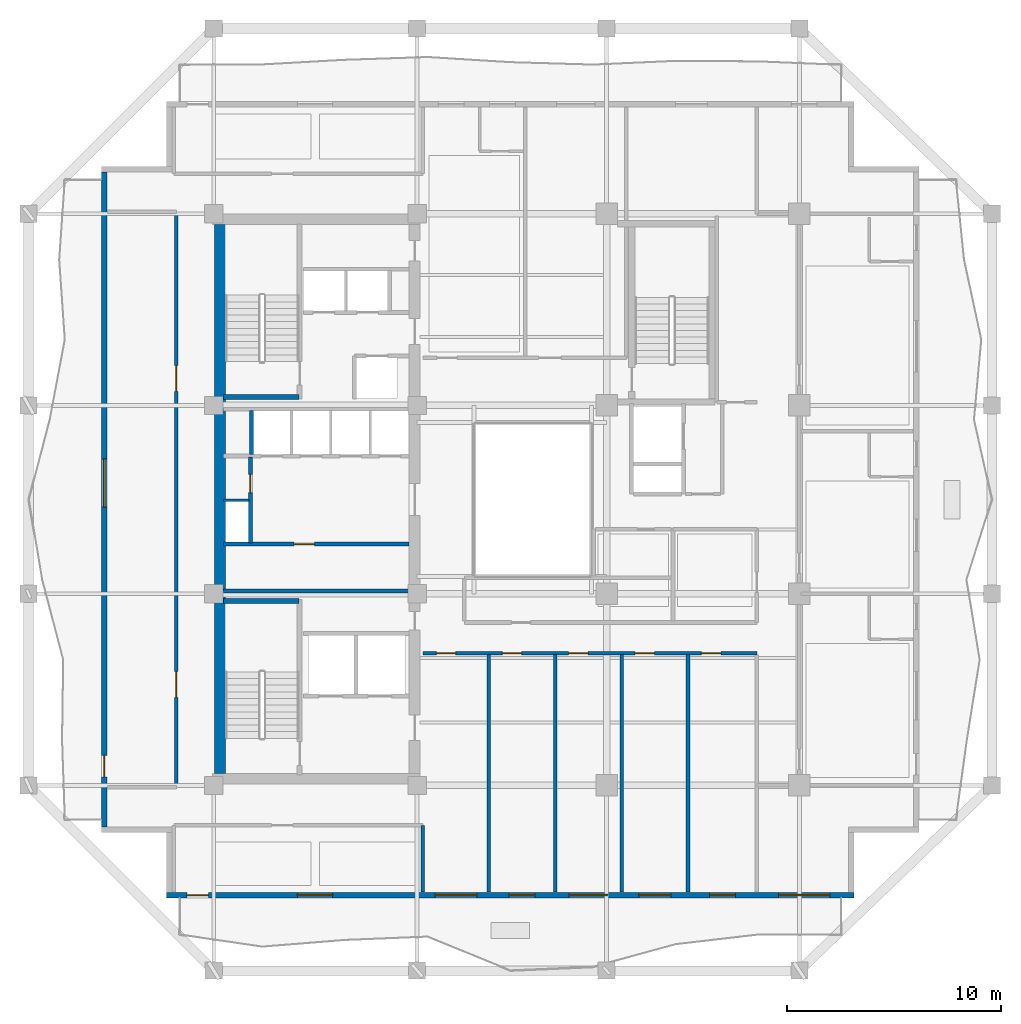
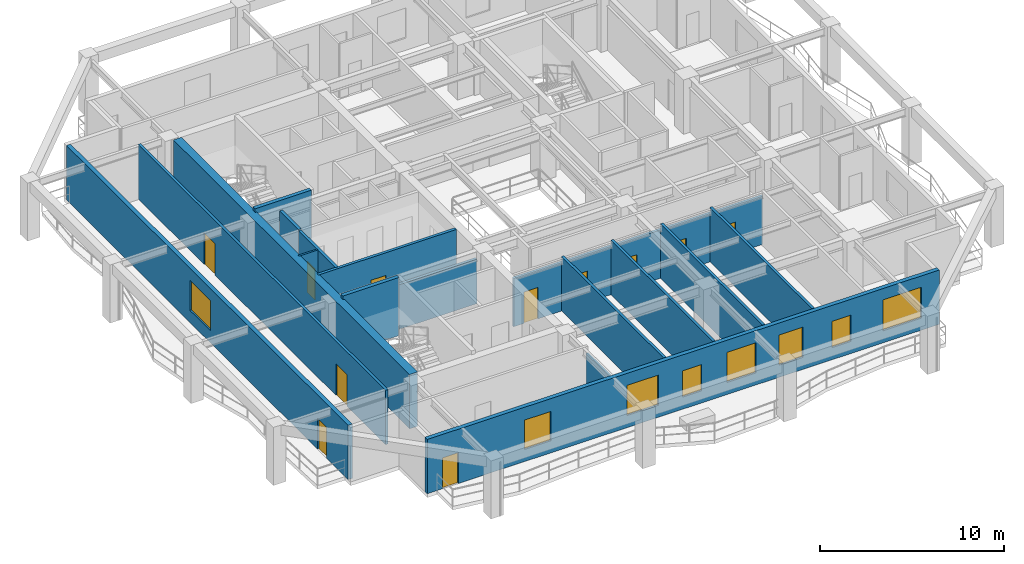
# One storey, part 3 of 10: 17 walls, 11 doors, 8 windows, 19 openings.
"""IFC4 building model written with IfcOpenShell, lengths in metres."""

from ifc_helpers import new_model, si_unit, direction, frame, frame_2d, origin, place, context, subcontext, project, spatial, rectangle, extrude, material, layer, layer_set, type_object, element, fill, save


model = new_model("IFC4")

# Units and contexts
model_context = context("Model", 3, precision=1e-05, world=origin(), true_north=direction((0.0, 1.0)))
body_context = subcontext(model_context, "Body", "Model", "MODEL_VIEW")
ifc_project = project(units=[si_unit("LENGTHUNIT", "METRE"), si_unit("AREAUNIT", "SQUARE_METRE"), si_unit("VOLUMEUNIT", "CUBIC_METRE"), si_unit("PLANEANGLEUNIT", "RADIAN"), si_unit("MASSUNIT", "GRAM", prefix="KILO")], contexts=[model_context])

# Site, building, storey
site_placement = place(None, origin())
site = spatial("IfcSite", under=ifc_project, at=site_placement, CompositionType="ELEMENT")
building_placement = place(site_placement, origin())
building = spatial("IfcBuilding", under=site, at=building_placement, Name="Kundavana Baori Tower", CompositionType="ELEMENT")
storey_placement = place(building_placement, frame((0.0, 0.0, 138.64990234375)))
storey = spatial("IfcBuildingStorey", under=building, at=storey_placement, Name="L33", CompositionType="ELEMENT", Elevation=138.64990234375)

# Walls
ifc_material_1 = material(Name="Concrete C50/60", Category="concrete")
ifc_layer_1 = layer(ifc_material_1, 0.39990234375, Name="WL-CORE-400")
ifc_layer_set_1 = layer_set([ifc_layer_1], Name="Concrete C50/60")
wall_type_1 = type_object("IfcWallType", Name="WL-CORE-400", PredefinedType="SHEAR", material=ifc_layer_set_1)
for number, where, z_axis, x_axis, name in (
    (1, (15.89990234375, 23.860107421875, 0.0), (0.0, 0.0, 1.0), (1.0, 0.0, 0.0), "WL-L33-ST1-N"),
    (2, (15.89990234375, 33.389892578125, 0.0), (0.0, 0.0, 1.0), (1.0, 0.0, 0.0), "WL-L33-ST2-S"),
):
    element("IfcWall", number, at=place(storey_placement, frame(where, z_axis=z_axis, x_axis=x_axis)), inside=storey, type_object=wall_type_1, Name=name, PredefinedType="SHEAR", context=body_context, shape_type="SweptSolid", body=[
        extrude(rectangle(XDim=3.52001953125, YDim=0.239990234375, at=frame_2d((1.760009765625, 0.0))), origin(), (0.0, 0.0, 1.0), 3.85009765625),
    ])
ifc_material_2 = material(Name="Concrete C50/60", Category="concrete")
ifc_layer_2 = layer(ifc_material_2, 0.5, Name="WL-CORE-500")
ifc_layer_set_2 = layer_set([ifc_layer_2], Name="Concrete C50/60")
wall_type_2 = type_object("IfcWallType", Name="WL-CORE-500", PredefinedType="SHEAR", material=ifc_layer_set_2)
wall_1_placement = place(storey_placement, frame((15.739990234375, 15.81005859375, 0.0), z_axis=(0.0, 0.0, 1.0), x_axis=(0.0, 1.0, 0.0)))
element("IfcWall", 3, at=wall_1_placement, inside=storey, type_object=wall_type_2, Name="L33 Offset Core West Shear Wall", PredefinedType="SHEAR", context=body_context, shape_type="SweptSolid", body=[
    extrude(rectangle(XDim=25.6298828125, YDim=0.5, at=frame_2d((12.81494140625, 0.0))), origin(), (0.0, 0.0, 1.0), 3.60009765625),
])

# Wall, openings, door, windows
ifc_material_3 = material(Name="Kiln-Fired Terracotta Brick-Slip Masonry on Concrete C40/50", Category="masonry")
ifc_layer_3 = layer(ifc_material_3, 0.260009765625, Name="WL-EXT-BRK-260")
ifc_layer_set_3 = layer_set([ifc_layer_3], Name="Kiln-Fired Terracotta Brick-Slip Masonry on Concrete C40/50")
wall_type_3 = type_object("IfcWallType", Name="WL-EXT-BRK-260", PredefinedType="SOLIDWALL", material=ifc_layer_set_3)
wall_2_placement = place(storey_placement, frame((13.25, 10.1298828125, 0.0), z_axis=(0.0, 0.0, 1.0), x_axis=(1.0, 0.0, 0.0)))
wall_2 = element("IfcWall", 4, at=wall_2_placement, inside=storey, type_object=wall_type_3, Name="L33 Exterior Insulated Facade Wall 01", PredefinedType="SOLIDWALL", context=body_context, shape_type="SweptSolid", body=[
    extrude(rectangle(XDim=32.10009765625, YDim=0.260009765625, at=frame_2d((16.050048828125, 0.0))), origin(), (0.0, 0.0, 1.0), 3.60009765625),
])
opening_1_placement = place(wall_2_placement, frame((0.949951171875, 0.0, 0.0)))
opening_1 = element("IfcOpeningElement", 5, at=opening_1_placement, cuts=wall_2, Name="Opening BD-1", PredefinedType="OPENING", context=body_context, shape_type="SweptSolid", body=[
    extrude(rectangle(XDim=1.0, YDim=2.050048828125, at=frame_2d((0.5, 1.02490234375))), frame((0.0, 0.14013671875, 0.0), z_axis=(0.0, -1.0, 0.0), x_axis=(1.0, 0.0, 0.0)), (0.0, 0.0, 1.0), 0.280029296875),
])
opening_2_placement = place(wall_2_placement, frame((6.10498046875, 0.0, 0.800048828125)))
opening_2 = element("IfcOpeningElement", 6, at=opening_2_placement, cuts=wall_2, Name="Opening W-08", PredefinedType="OPENING", context=body_context, shape_type="SweptSolid", body=[
    extrude(rectangle(XDim=1.64990234375, YDim=1.949951171875, at=frame_2d((0.824951171875, 0.97509765625))), frame((0.0, 0.14013671875, 0.0), z_axis=(0.0, -1.0, 0.0), x_axis=(1.0, 0.0, 0.0)), (0.0, 0.0, 1.0), 0.280029296875),
])
opening_3_placement = place(wall_2_placement, frame((12.534912109375, 0.0, 0.800048828125)))
opening_3 = element("IfcOpeningElement", 7, at=opening_3_placement, cuts=wall_2, Name="Opening W-09", PredefinedType="OPENING", context=body_context, shape_type="SweptSolid", body=[
    extrude(rectangle(XDim=1.949951171875, YDim=2.0, at=frame_2d((0.97509765625, 1.0))), frame((0.0, 0.14013671875, 0.0), z_axis=(0.0, -1.0, 0.0), x_axis=(1.0, 0.0, 0.0)), (0.0, 0.0, 1.0), 0.280029296875),
])
opening_4_placement = place(wall_2_placement, frame((16.0, 0.0, 0.800048828125)))
opening_4 = element("IfcOpeningElement", 8, at=opening_4_placement, cuts=wall_2, Name="Opening W-03", PredefinedType="OPENING", context=body_context, shape_type="SweptSolid", body=[
    extrude(rectangle(XDim=1.199951171875, YDim=1.75, at=frame_2d((0.60009765625, 0.875))), frame((0.0, 0.14013671875, 0.0), z_axis=(0.0, -1.0, 0.0), x_axis=(1.0, 0.0, 0.0)), (0.0, 0.0, 1.0), 0.280029296875),
])
opening_5_placement = place(wall_2_placement, frame((18.800048828125, 0.0, 0.800048828125)))
opening_5 = element("IfcOpeningElement", 9, at=opening_5_placement, cuts=wall_2, Name="Opening W-01", PredefinedType="OPENING", context=body_context, shape_type="SweptSolid", body=[
    extrude(rectangle(XDim=1.800048828125, YDim=2.0, at=frame_2d((0.89990234375, 1.0))), frame((0.0, 0.14013671875, 0.0), z_axis=(0.0, -1.0, 0.0), x_axis=(1.0, 0.0, 0.0)), (0.0, 0.0, 1.0), 0.280029296875),
])
opening_6_placement = place(wall_2_placement, frame((22.050048828125, 0.0, 0.800048828125)))
opening_6 = element("IfcOpeningElement", 10, at=opening_6_placement, cuts=wall_2, Name="Opening W-02", PredefinedType="OPENING", context=body_context, shape_type="SweptSolid", body=[
    extrude(rectangle(XDim=1.5, YDim=2.0, at=frame_2d((0.75, 1.0))), frame((0.0, 0.14013671875, 0.0), z_axis=(0.0, -1.0, 0.0), x_axis=(1.0, 0.0, 0.0)), (0.0, 0.0, 1.0), 0.280029296875),
])
opening_7_placement = place(wall_2_placement, frame((25.360107421875, 0.0, 0.800048828125)))
opening_7 = element("IfcOpeningElement", 11, at=opening_7_placement, cuts=wall_2, Name="Opening W-03", PredefinedType="OPENING", context=body_context, shape_type="SweptSolid", body=[
    extrude(rectangle(XDim=1.199951171875, YDim=1.75, at=frame_2d((0.60009765625, 0.875))), frame((0.0, 0.14013671875, 0.0), z_axis=(0.0, -1.0, 0.0), x_axis=(1.0, 0.0, 0.0)), (0.0, 0.0, 1.0), 0.280029296875),
])
opening_8_placement = place(wall_2_placement, frame((28.580078125, 0.0, 0.800048828125)))
opening_8 = element("IfcOpeningElement", 12, at=opening_8_placement, cuts=wall_2, Name="Opening W-04", PredefinedType="OPENING", context=body_context, shape_type="SweptSolid", body=[
    extrude(rectangle(XDim=2.39990234375, YDim=2.050048828125, at=frame_2d((1.199951171875, 1.02490234375))), frame((0.0, 0.14013671875, 0.0), z_axis=(0.0, -1.0, 0.0), x_axis=(1.0, 0.0, 0.0)), (0.0, 0.0, 1.0), 0.280029296875),
])
ifc_material_4 = material(Name="Architectural Patinated Bronze Metalwork")
door_type_1 = type_object("IfcDoorType", Name="DR-EXT-LOG-1000", OperationType="NOTDEFINED", PredefinedType="DOOR", material=ifc_material_4)
door_1_placement = place(opening_1_placement, frame((1.0, 0.0, 0.0), z_axis=(0.0, 0.0, 1.0), x_axis=(-1.0, 0.0, 0.0)))
door_1 = element("IfcDoor", 13, at=door_1_placement, inside=storey, type_object=door_type_1, Name="L33 Loggia Balcony Access Door S", OperationType="SINGLE_SWING_LEFT", OverallHeight=2.050048828125, OverallWidth=1.0, PredefinedType="DOOR", context=body_context, shape_type="SweptSolid", body=[
    extrude(rectangle(XDim=1.0, YDim=2.050048828125, at=frame_2d((0.5, 1.02490234375))), frame((0.0, 0.02490234375, 0.0), z_axis=(0.0, -1.0, 0.0), x_axis=(1.0, 0.0, 0.0)), (0.0, 0.0, 1.0), 0.050048828125),
])
fill(opening_1, door_1)
ifc_material_5 = material(Name="Double-Glazed Solar-Control Low-E Insulated Glass", Category="glass")
window_type_1 = type_object("IfcWindowType", Name="WIN-LOG-1200x1750", PartitioningType="SINGLE_PANEL", PredefinedType="WINDOW", material=ifc_material_5)
window_1_placement = place(opening_4_placement, origin())
window_1 = element("IfcWindow", 14, at=window_1_placement, inside=storey, type_object=window_type_1, Name="L33 Recessed Loggia Window S-3", OverallHeight=1.75, OverallWidth=1.199951171875, PartitioningType="SINGLE_PANEL", PredefinedType="WINDOW", context=body_context, shape_type="SweptSolid", body=[
    extrude(rectangle(XDim=1.199951171875, YDim=1.75, at=frame_2d((0.60009765625, 0.875))), frame((0.0, 0.030029296875, 0.0), z_axis=(0.0, -1.0, 0.0), x_axis=(1.0, 0.0, 0.0)), (0.0, 0.0, 1.0), 0.06005859375),
])
fill(opening_4, window_1)
window_2_placement = place(opening_7_placement, origin())
window_2 = element("IfcWindow", 15, at=window_2_placement, inside=storey, type_object=window_type_1, Name="L33 Recessed Loggia Window S-6", OverallHeight=1.75, OverallWidth=1.199951171875, PartitioningType="SINGLE_PANEL", PredefinedType="WINDOW", context=body_context, shape_type="SweptSolid", body=[
    extrude(rectangle(XDim=1.199951171875, YDim=1.75, at=frame_2d((0.60009765625, 0.875))), frame((0.0, 0.030029296875, 0.0), z_axis=(0.0, -1.0, 0.0), x_axis=(1.0, 0.0, 0.0)), (0.0, 0.0, 1.0), 0.06005859375),
])
fill(opening_7, window_2)
ifc_material_6 = material(Name="Double-Glazed Solar-Control Low-E Insulated Glass", Category="glass")
window_type_2 = type_object("IfcWindowType", Name="WIN-LOG-1500x2000", PartitioningType="SINGLE_PANEL", PredefinedType="WINDOW", material=ifc_material_6)
window_3_placement = place(opening_6_placement, origin())
window_3 = element("IfcWindow", 16, at=window_3_placement, inside=storey, type_object=window_type_2, Name="L33 Recessed Loggia Window S-5", OverallHeight=2.0, OverallWidth=1.5, PartitioningType="SINGLE_PANEL", PredefinedType="WINDOW", context=body_context, shape_type="SweptSolid", body=[
    extrude(rectangle(XDim=1.5, YDim=2.0, at=frame_2d((0.75, 1.0))), frame((0.0, 0.030029296875, 0.0), z_axis=(0.0, -1.0, 0.0), x_axis=(1.0, 0.0, 0.0)), (0.0, 0.0, 1.0), 0.06005859375),
])
fill(opening_6, window_3)
ifc_material_7 = material(Name="Double-Glazed Solar-Control Low-E Insulated Glass", Category="glass")
window_type_3 = type_object("IfcWindowType", Name="WIN-LOG-1650x1950", PartitioningType="SINGLE_PANEL", PredefinedType="WINDOW", material=ifc_material_7)
window_4_placement = place(opening_2_placement, origin())
window_4 = element("IfcWindow", 17, at=window_4_placement, inside=storey, type_object=window_type_3, Name="L33 Recessed Loggia Window S-1", OverallHeight=1.949951171875, OverallWidth=1.64990234375, PartitioningType="SINGLE_PANEL", PredefinedType="WINDOW", context=body_context, shape_type="SweptSolid", body=[
    extrude(rectangle(XDim=1.64990234375, YDim=1.949951171875, at=frame_2d((0.824951171875, 0.97509765625))), frame((0.0, 0.030029296875, 0.0), z_axis=(0.0, -1.0, 0.0), x_axis=(1.0, 0.0, 0.0)), (0.0, 0.0, 1.0), 0.06005859375),
])
fill(opening_2, window_4)
ifc_material_8 = material(Name="Double-Glazed Solar-Control Low-E Insulated Glass", Category="glass")
window_type_4 = type_object("IfcWindowType", Name="WIN-LOG-1800x2000", PartitioningType="SINGLE_PANEL", PredefinedType="WINDOW", material=ifc_material_8)
window_5_placement = place(opening_5_placement, origin())
window_5 = element("IfcWindow", 18, at=window_5_placement, inside=storey, type_object=window_type_4, Name="L33 Recessed Loggia Window S-4", OverallHeight=2.0, OverallWidth=1.800048828125, PartitioningType="SINGLE_PANEL", PredefinedType="WINDOW", context=body_context, shape_type="SweptSolid", body=[
    extrude(rectangle(XDim=1.800048828125, YDim=2.0, at=frame_2d((0.89990234375, 1.0))), frame((0.0, 0.030029296875, 0.0), z_axis=(0.0, -1.0, 0.0), x_axis=(1.0, 0.0, 0.0)), (0.0, 0.0, 1.0), 0.06005859375),
])
fill(opening_5, window_5)
ifc_material_9 = material(Name="Double-Glazed Solar-Control Low-E Insulated Glass", Category="glass")
window_type_5 = type_object("IfcWindowType", Name="WIN-LOG-1950x2000", PartitioningType="SINGLE_PANEL", PredefinedType="WINDOW", material=ifc_material_9)
window_6_placement = place(opening_3_placement, origin())
window_6 = element("IfcWindow", 19, at=window_6_placement, inside=storey, type_object=window_type_5, Name="L33 Recessed Loggia Window S-2", OverallHeight=2.0, OverallWidth=1.949951171875, PartitioningType="SINGLE_PANEL", PredefinedType="WINDOW", context=body_context, shape_type="SweptSolid", body=[
    extrude(rectangle(XDim=1.949951171875, YDim=2.0, at=frame_2d((0.97509765625, 1.0))), frame((0.0, 0.030029296875, 0.0), z_axis=(0.0, -1.0, 0.0), x_axis=(1.0, 0.0, 0.0)), (0.0, 0.0, 1.0), 0.06005859375),
])
fill(opening_3, window_6)
ifc_material_10 = material(Name="Double-Glazed Solar-Control Low-E Insulated Glass", Category="glass")
window_type_6 = type_object("IfcWindowType", Name="WIN-LOG-2400x2050", PartitioningType="SINGLE_PANEL", PredefinedType="WINDOW", material=ifc_material_10)
window_7_placement = place(opening_8_placement, origin())
window_7 = element("IfcWindow", 20, at=window_7_placement, inside=storey, type_object=window_type_6, Name="L33 Recessed Loggia Window S-7", OverallHeight=2.050048828125, OverallWidth=2.39990234375, PartitioningType="SINGLE_PANEL", PredefinedType="WINDOW", context=body_context, shape_type="SweptSolid", body=[
    extrude(rectangle(XDim=2.39990234375, YDim=2.050048828125, at=frame_2d((1.199951171875, 1.02490234375))), frame((0.0, 0.030029296875, 0.0), z_axis=(0.0, -1.0, 0.0), x_axis=(1.0, 0.0, 0.0)), (0.0, 0.0, 1.0), 0.06005859375),
])
fill(opening_8, window_7)

# Wall, openings, door, window
wall_3_placement = place(storey_placement, frame((10.330078125, 43.889892578125, 0.0), z_axis=(0.0, 0.0, 1.0), x_axis=(0.0, -1.0, 0.0)))
wall_3 = element("IfcWall", 21, at=wall_3_placement, inside=storey, type_object=wall_type_3, Name="L33 Exterior Insulated Facade Wall 10", PredefinedType="SOLIDWALL", context=body_context, shape_type="SweptSolid", body=[
    extrude(rectangle(XDim=30.579833984375, YDim=0.260009765625, at=frame_2d((15.2900390625, 0.0))), origin(), (0.0, 0.0, 1.0), 3.60009765625),
])
opening_9_placement = place(wall_3_placement, frame((27.239990234375, 0.0, 0.0)))
opening_9 = element("IfcOpeningElement", 22, at=opening_9_placement, cuts=wall_3, Name="Opening BD-1", PredefinedType="OPENING", context=body_context, shape_type="SweptSolid", body=[
    extrude(rectangle(XDim=1.0, YDim=2.050048828125, at=frame_2d((0.5, 1.02490234375))), frame((0.0, 0.14013671875, 0.0), z_axis=(0.0, -1.0, 0.0), x_axis=(1.0, 0.0, 0.0)), (0.0, 0.0, 1.0), 0.280029296875),
])
opening_10_placement = place(wall_3_placement, frame((13.389892578125, 0.0, 0.800048828125)))
opening_10 = element("IfcOpeningElement", 23, at=opening_10_placement, cuts=wall_3, Name="Opening W-10", PredefinedType="OPENING", context=body_context, shape_type="SweptSolid", body=[
    extrude(rectangle(XDim=2.25, YDim=2.0, at=frame_2d((1.125, 1.0))), frame((0.0, 0.14013671875, 0.0), z_axis=(0.0, -1.0, 0.0), x_axis=(1.0, 0.0, 0.0)), (0.0, 0.0, 1.0), 0.280029296875),
])
door_2_placement = place(opening_9_placement, frame((1.0, 0.0, 0.0), z_axis=(0.0, 0.0, 1.0), x_axis=(-1.0, 0.0, 0.0)))
door_2 = element("IfcDoor", 24, at=door_2_placement, inside=storey, type_object=door_type_1, Name="L33 Loggia Balcony Access Door W", OperationType="SINGLE_SWING_RIGHT", OverallHeight=2.050048828125, OverallWidth=1.0, PredefinedType="DOOR", context=body_context, shape_type="SweptSolid", body=[
    extrude(rectangle(XDim=1.0, YDim=2.050048828125, at=frame_2d((0.5, 1.02490234375))), frame((0.0, 0.02490234375, 0.0), z_axis=(0.0, -1.0, 0.0), x_axis=(1.0, 0.0, 0.0)), (0.0, 0.0, 1.0), 0.050048828125),
])
fill(opening_9, door_2)
ifc_material_11 = material(Name="Double-Glazed Solar-Control Low-E Insulated Glass", Category="glass")
window_type_7 = type_object("IfcWindowType", Name="WIN-LOG-2250x2000", PartitioningType="SINGLE_PANEL", PredefinedType="WINDOW", material=ifc_material_11)
window_8_placement = place(opening_10_placement, origin())
window_8 = element("IfcWindow", 25, at=window_8_placement, inside=storey, type_object=window_type_7, Name="L33 Recessed Loggia Window W-1", OverallHeight=2.0, OverallWidth=2.25, PartitioningType="SINGLE_PANEL", PredefinedType="WINDOW", context=body_context, shape_type="SweptSolid", body=[
    extrude(rectangle(XDim=2.25, YDim=2.0, at=frame_2d((1.125, 1.0))), frame((0.0, 0.030029296875, 0.0), z_axis=(0.0, -1.0, 0.0), x_axis=(1.0, 0.0, 0.0)), (0.0, 0.0, 1.0), 0.06005859375),
])
fill(opening_10, window_8)

# Wall
ifc_material_12 = material(Name="Acoustic Gypsum Plasterboard on Galvanised Steel Studs", Category="steel")
ifc_layer_4 = layer(ifc_material_12, 0.1201171875, Name="WL-PART-120")
ifc_layer_set_4 = layer_set([ifc_layer_4], Name="Acoustic Gypsum Plasterboard on Galvanised Steel Studs")
wall_type_4 = type_object("IfcWallType", Name="WL-PART-120", PredefinedType="PARTITIONING", material=ifc_layer_set_4)
wall_4_placement = place(storey_placement, frame((15.89990234375, 28.56005859375, 0.0), z_axis=(0.0, 0.0, 1.0), x_axis=(1.0, 0.0, 0.0)))
element("IfcWall", 26, at=wall_4_placement, inside=storey, type_object=wall_type_4, Name="WL-L33-RSRW-N", PredefinedType="PARTITIONING", context=body_context, shape_type="SweptSolid", body=[
    extrude(rectangle(XDim=1.2001953125, YDim=0.1201171875, at=frame_2d((0.60009765625, 0.0))), origin(), (0.0, 0.0, 1.0), 3.60009765625),
])

# Wall, openings, doors
ifc_material_13 = material(Name="Fire-Rated Gypsum Drywall on Galvanised Steel Studs", Category="steel")
ifc_layer_5 = layer(ifc_material_13, 0.1650390625, Name="WL-PART-165")
ifc_layer_set_5 = layer_set([ifc_layer_5], Name="Fire-Rated Gypsum Drywall on Galvanised Steel Studs")
wall_type_5 = type_object("IfcWallType", Name="WL-PART-165", PredefinedType="PARTITIONING", material=ifc_layer_set_5)
wall_5_placement = place(storey_placement, frame((25.219970703125, 21.419921875, 0.0), z_axis=(0.0, 0.0, 1.0), x_axis=(1.0, 0.0, 0.0)))
wall_5 = element("IfcWall", 27, at=wall_5_placement, inside=storey, type_object=wall_type_5, Name="WL-L33-HS", PredefinedType="PARTITIONING", context=body_context, shape_type="SweptSolid", body=[
    extrude(rectangle(XDim=15.60009765625, YDim=0.1650390625, at=frame_2d((7.800048828125, 0.0))), origin(), (0.0, 0.0, 1.0), 3.2001953125),
])
opening_11_placement = place(wall_5_placement, frame((0.6298828125, 0.0, 0.0)))
opening_11 = element("IfcOpeningElement", 28, at=opening_11_placement, cuts=wall_5, Name="Opening ID-090", PredefinedType="OPENING", context=body_context, shape_type="SweptSolid", body=[
    extrude(rectangle(XDim=0.89990234375, YDim=2.080078125, at=frame_2d((0.449951171875, 1.0400390625))), frame((0.0, 0.092529296875, 0.0), z_axis=(0.0, -1.0, 0.0), x_axis=(1.0, 0.0, 0.0)), (0.0, 0.0, 1.0), 0.18505859375),
])
opening_12_placement = place(wall_5_placement, frame((3.7099609375, 0.0, 0.0)))
opening_12 = element("IfcOpeningElement", 29, at=opening_12_placement, cuts=wall_5, Name="Opening ID-090", PredefinedType="OPENING", context=body_context, shape_type="SweptSolid", body=[
    extrude(rectangle(XDim=0.89990234375, YDim=2.080078125, at=frame_2d((0.449951171875, 1.0400390625))), frame((0.0, 0.092529296875, 0.0), z_axis=(0.0, -1.0, 0.0), x_axis=(1.0, 0.0, 0.0)), (0.0, 0.0, 1.0), 0.18505859375),
])
opening_13_placement = place(wall_5_placement, frame((6.81005859375, 0.0, 0.0)))
opening_13 = element("IfcOpeningElement", 30, at=opening_13_placement, cuts=wall_5, Name="Opening ID-090", PredefinedType="OPENING", context=body_context, shape_type="SweptSolid", body=[
    extrude(rectangle(XDim=0.89990234375, YDim=2.080078125, at=frame_2d((0.449951171875, 1.0400390625))), frame((0.0, 0.092529296875, 0.0), z_axis=(0.0, -1.0, 0.0), x_axis=(1.0, 0.0, 0.0)), (0.0, 0.0, 1.0), 0.18505859375),
])
opening_14_placement = place(wall_5_placement, frame((9.909912109375, 0.0, 0.0)))
opening_14 = element("IfcOpeningElement", 31, at=opening_14_placement, cuts=wall_5, Name="Opening ID-090", PredefinedType="OPENING", context=body_context, shape_type="SweptSolid", body=[
    extrude(rectangle(XDim=0.89990234375, YDim=2.080078125, at=frame_2d((0.449951171875, 1.0400390625))), frame((0.0, 0.092529296875, 0.0), z_axis=(0.0, -1.0, 0.0), x_axis=(1.0, 0.0, 0.0)), (0.0, 0.0, 1.0), 0.18505859375),
])
opening_15_placement = place(wall_5_placement, frame((13.010009765625, 0.0, 0.0)))
opening_15 = element("IfcOpeningElement", 32, at=opening_15_placement, cuts=wall_5, Name="Opening ID-090", PredefinedType="OPENING", context=body_context, shape_type="SweptSolid", body=[
    extrude(rectangle(XDim=0.89990234375, YDim=2.080078125, at=frame_2d((0.449951171875, 1.0400390625))), frame((0.0, 0.092529296875, 0.0), z_axis=(0.0, -1.0, 0.0), x_axis=(1.0, 0.0, 0.0)), (0.0, 0.0, 1.0), 0.18505859375),
])
ifc_material_14 = material(Name="Engineered Teak Solid-Core Timber Veneer", Category="wood")
door_type_2 = type_object("IfcDoorType", Name="DR-INT-900", OperationType="NOTDEFINED", PredefinedType="DOOR", material=ifc_material_14)
door_3_placement = place(opening_11_placement, frame((0.89990234375, 0.0, 0.0), z_axis=(0.0, 0.0, 1.0), x_axis=(-1.0, 0.0, 0.0)))
door_3 = element("IfcDoor", 33, at=door_3_placement, inside=storey, type_object=door_type_2, Name="DR-L33-HCS1", OperationType="SINGLE_SWING_RIGHT", OverallHeight=2.080078125, OverallWidth=0.89990234375, PredefinedType="DOOR", context=body_context, shape_type="SweptSolid", body=[
    extrude(rectangle(XDim=0.89990234375, YDim=2.080078125, at=frame_2d((0.449951171875, 1.0400390625))), frame((0.0, 0.02490234375, 0.0), z_axis=(0.0, -1.0, 0.0), x_axis=(1.0, 0.0, 0.0)), (0.0, 0.0, 1.0), 0.050048828125),
])
fill(opening_11, door_3)
door_4_placement = place(opening_12_placement, frame((0.89990234375, 0.0, 0.0), z_axis=(0.0, 0.0, 1.0), x_axis=(-1.0, 0.0, 0.0)))
door_4 = element("IfcDoor", 34, at=door_4_placement, inside=storey, type_object=door_type_2, Name="DR-L33-HCS2", OperationType="SINGLE_SWING_RIGHT", OverallHeight=2.080078125, OverallWidth=0.89990234375, PredefinedType="DOOR", context=body_context, shape_type="SweptSolid", body=[
    extrude(rectangle(XDim=0.89990234375, YDim=2.080078125, at=frame_2d((0.449951171875, 1.0400390625))), frame((0.0, 0.02490234375, 0.0), z_axis=(0.0, -1.0, 0.0), x_axis=(1.0, 0.0, 0.0)), (0.0, 0.0, 1.0), 0.050048828125),
])
fill(opening_12, door_4)
door_5_placement = place(opening_13_placement, frame((0.89990234375, 0.0, 0.0), z_axis=(0.0, 0.0, 1.0), x_axis=(-1.0, 0.0, 0.0)))
door_5 = element("IfcDoor", 35, at=door_5_placement, inside=storey, type_object=door_type_2, Name="DR-L33-HCS3", OperationType="SINGLE_SWING_RIGHT", OverallHeight=2.080078125, OverallWidth=0.89990234375, PredefinedType="DOOR", context=body_context, shape_type="SweptSolid", body=[
    extrude(rectangle(XDim=0.89990234375, YDim=2.080078125, at=frame_2d((0.449951171875, 1.0400390625))), frame((0.0, 0.02490234375, 0.0), z_axis=(0.0, -1.0, 0.0), x_axis=(1.0, 0.0, 0.0)), (0.0, 0.0, 1.0), 0.050048828125),
])
fill(opening_13, door_5)
door_6_placement = place(opening_14_placement, frame((0.89990234375, 0.0, 0.0), z_axis=(0.0, 0.0, 1.0), x_axis=(-1.0, 0.0, 0.0)))
door_6 = element("IfcDoor", 36, at=door_6_placement, inside=storey, type_object=door_type_2, Name="DR-L33-HCS4", OperationType="SINGLE_SWING_RIGHT", OverallHeight=2.080078125, OverallWidth=0.89990234375, PredefinedType="DOOR", context=body_context, shape_type="SweptSolid", body=[
    extrude(rectangle(XDim=0.89990234375, YDim=2.080078125, at=frame_2d((0.449951171875, 1.0400390625))), frame((0.0, 0.02490234375, 0.0), z_axis=(0.0, -1.0, 0.0), x_axis=(1.0, 0.0, 0.0)), (0.0, 0.0, 1.0), 0.050048828125),
])
fill(opening_14, door_6)
door_7_placement = place(opening_15_placement, frame((0.89990234375, 0.0, 0.0), z_axis=(0.0, 0.0, 1.0), x_axis=(-1.0, 0.0, 0.0)))
door_7 = element("IfcDoor", 37, at=door_7_placement, inside=storey, type_object=door_type_2, Name="DR-L33-HCS5", OperationType="SINGLE_SWING_RIGHT", OverallHeight=2.080078125, OverallWidth=0.89990234375, PredefinedType="DOOR", context=body_context, shape_type="SweptSolid", body=[
    extrude(rectangle(XDim=0.89990234375, YDim=2.080078125, at=frame_2d((0.449951171875, 1.0400390625))), frame((0.0, 0.02490234375, 0.0), z_axis=(0.0, -1.0, 0.0), x_axis=(1.0, 0.0, 0.0)), (0.0, 0.0, 1.0), 0.050048828125),
])
fill(opening_15, door_7)

wall_6_placement = place(storey_placement, frame((13.699951171875, 15.159912109375, 0.0), z_axis=(0.0, 0.0, 1.0), x_axis=(0.0, 1.0, 0.0)))
wall_6 = element("IfcWall", 38, at=wall_6_placement, inside=storey, type_object=wall_type_5, Name="WL-L33-HW", PredefinedType="PARTITIONING", context=body_context, shape_type="SweptSolid", body=[
    extrude(rectangle(XDim=26.880126953125, YDim=0.1650390625, at=frame_2d((13.43994140625, 0.0))), origin(), (0.0, 0.0, 1.0), 3.60009765625),
])
opening_16_placement = place(wall_6_placement, frame((4.199951171875, 0.0, 0.0)))
opening_16 = element("IfcOpeningElement", 39, at=opening_16_placement, cuts=wall_6, Name="Opening ID-120", PredefinedType="OPENING", context=body_context, shape_type="SweptSolid", body=[
    extrude(rectangle(XDim=1.199951171875, YDim=2.10009765625, at=frame_2d((0.60009765625, 1.050048828125))), frame((0.0, 0.092529296875, 0.0), z_axis=(0.0, -1.0, 0.0), x_axis=(1.0, 0.0, 0.0)), (0.0, 0.0, 1.0), 0.18505859375),
])
opening_17_placement = place(wall_6_placement, frame((18.5, 0.0, 0.0)))
opening_17 = element("IfcOpeningElement", 40, at=opening_17_placement, cuts=wall_6, Name="Opening ID-120", PredefinedType="OPENING", context=body_context, shape_type="SweptSolid", body=[
    extrude(rectangle(XDim=1.199951171875, YDim=2.10009765625, at=frame_2d((0.60009765625, 1.050048828125))), frame((0.0, 0.092529296875, 0.0), z_axis=(0.0, -1.0, 0.0), x_axis=(1.0, 0.0, 0.0)), (0.0, 0.0, 1.0), 0.18505859375),
])
ifc_material_15 = material(Name="Engineered Teak Solid-Core Timber Veneer", Category="wood")
door_type_3 = type_object("IfcDoorType", Name="DR-INT-1200", OperationType="NOTDEFINED", PredefinedType="DOOR", material=ifc_material_15)
door_8_placement = place(opening_16_placement, origin())
door_8 = element("IfcDoor", 41, at=door_8_placement, inside=storey, type_object=door_type_3, Name="DR-L33-HCW1", OperationType="SINGLE_SWING_LEFT", OverallHeight=2.10009765625, OverallWidth=1.199951171875, PredefinedType="DOOR", context=body_context, shape_type="SweptSolid", body=[
    extrude(rectangle(XDim=1.199951171875, YDim=2.10009765625, at=frame_2d((0.60009765625, 1.050048828125))), frame((0.0, 0.02490234375, 0.0), z_axis=(0.0, -1.0, 0.0), x_axis=(1.0, 0.0, 0.0)), (0.0, 0.0, 1.0), 0.050048828125),
])
fill(opening_16, door_8)
door_9_placement = place(opening_17_placement, origin())
door_9 = element("IfcDoor", 42, at=door_9_placement, inside=storey, type_object=door_type_3, Name="DR-L33-HCW2", OperationType="SINGLE_SWING_RIGHT", OverallHeight=2.10009765625, OverallWidth=1.199951171875, PredefinedType="DOOR", context=body_context, shape_type="SweptSolid", body=[
    extrude(rectangle(XDim=1.199951171875, YDim=2.10009765625, at=frame_2d((0.60009765625, 1.050048828125))), frame((0.0, 0.02490234375, 0.0), z_axis=(0.0, -1.0, 0.0), x_axis=(1.0, 0.0, 0.0)), (0.0, 0.0, 1.0), 0.050048828125),
])
fill(opening_17, door_9)

# Walls
wall_7_placement = place(storey_placement, frame((25.219970703125, 10.280029296875, 0.0), z_axis=(0.0, 0.0, 1.0), x_axis=(0.0, 1.0, 0.0)))
element("IfcWall", 43, at=wall_7_placement, inside=storey, type_object=wall_type_5, Name="WL-L33-HSCE", PredefinedType="PARTITIONING", context=body_context, shape_type="SweptSolid", body=[
    extrude(rectangle(XDim=3.099853515625, YDim=0.1650390625, at=frame_2d((1.5498046875, 0.0))), origin(), (0.0, 0.0, 1.0), 3.10009765625),
])
for number, where, z_axis, x_axis, name in (
    (44, (28.300048828125, 10.280029296875, 0.0), (0.0, 0.0, 1.0), (0.0, 1.0, 0.0), "WL-L33-HSD1"),
    (45, (31.39990234375, 10.280029296875, 0.0), (0.0, 0.0, 1.0), (0.0, 1.0, 0.0), "WL-L33-HSD2"),
    (46, (34.5, 10.280029296875, 0.0), (0.0, 0.0, 1.0), (0.0, 1.0, 0.0), "WL-L33-HSD3"),
    (47, (37.60009765625, 10.280029296875, 0.0), (0.0, 0.0, 1.0), (0.0, 1.0, 0.0), "WL-L33-HSD4"),
):
    element("IfcWall", number, at=place(storey_placement, frame(where, z_axis=z_axis, x_axis=x_axis)), inside=storey, type_object=wall_type_5, Name=name, PredefinedType="PARTITIONING", context=body_context, shape_type="SweptSolid", body=[
        extrude(rectangle(XDim=11.080078125, YDim=0.1650390625, at=frame_2d((5.5400390625, 0.0))), origin(), (0.0, 0.0, 1.0), 3.60009765625),
    ])

# Wall, opening, door
ifc_material_16 = material(Name="Autoclaved Aerated Concrete Blockwork Masonry", Category="masonry")
ifc_layer_6 = layer(ifc_material_16, 0.179931640625, Name="WL-SHAFT-180")
ifc_layer_set_6 = layer_set([ifc_layer_6], Name="Autoclaved Aerated Concrete Blockwork Masonry")
wall_type_6 = type_object("IfcWallType", Name="WL-SHAFT-180", PredefinedType="SOLIDWALL", material=ifc_layer_set_6)
wall_8_placement = place(storey_placement, frame((15.89990234375, 26.52001953125, 0.0), z_axis=(0.0, 0.0, 1.0), x_axis=(1.0, 0.0, 0.0)))
wall_8 = element("IfcWall", 48, at=wall_8_placement, inside=storey, type_object=wall_type_6, Name="WL-L33-LPLOW-N", PredefinedType="SOLIDWALL", context=body_context, shape_type="SweptSolid", body=[
    extrude(rectangle(XDim=8.68017578125, YDim=0.179931640625, at=frame_2d((4.340087890625, 0.0))), origin(), (0.0, 0.0, 1.0), 3.60009765625),
])
opening_18_placement = place(wall_8_placement, frame((3.300048828125, 0.0, 0.0)))
opening_18 = element("IfcOpeningElement", 49, at=opening_18_placement, cuts=wall_8, Name="Opening FD-095", PredefinedType="OPENING", context=body_context, shape_type="SweptSolid", body=[
    extrude(rectangle(XDim=0.949951171875, YDim=2.10009765625, at=frame_2d((0.47509765625, 1.050048828125))), frame((0.0, 0.10009765625, 0.0), z_axis=(0.0, -1.0, 0.0), x_axis=(1.0, 0.0, 0.0)), (0.0, 0.0, 1.0), 0.199951171875),
])
ifc_material_17 = material(Name="Engineered Teak Fire-Rated Timber Door Leaf", Category="wood")
door_type_4 = type_object("IfcDoorType", Name="DR-FD60-950", OperationType="NOTDEFINED", PredefinedType="DOOR", material=ifc_material_17)
door_10_placement = place(opening_18_placement, origin())
door_10 = element("IfcDoor", 50, at=door_10_placement, inside=storey, type_object=door_type_4, Name="DR-L33-FRLOW1", OperationType="SINGLE_SWING_LEFT", OverallHeight=2.10009765625, OverallWidth=0.949951171875, PredefinedType="DOOR", context=body_context, shape_type="SweptSolid", body=[
    extrude(rectangle(XDim=0.949951171875, YDim=2.10009765625, at=frame_2d((0.47509765625, 1.050048828125))), frame((0.0, 0.02490234375, 0.0), z_axis=(0.0, -1.0, 0.0), x_axis=(1.0, 0.0, 0.0)), (0.0, 0.0, 1.0), 0.050048828125),
])
fill(opening_18, door_10)

# Wall
wall_9_placement = place(storey_placement, frame((15.89990234375, 24.330078125, 0.0), z_axis=(0.0, 0.0, 1.0), x_axis=(1.0, 0.0, 0.0)))
element("IfcWall", 51, at=wall_9_placement, inside=storey, type_object=wall_type_6, Name="WL-L33-LPLOW-S", PredefinedType="SOLIDWALL", context=body_context, shape_type="SweptSolid", body=[
    extrude(rectangle(XDim=8.68017578125, YDim=0.179931640625, at=frame_2d((4.340087890625, 0.0))), origin(), (0.0, 0.0, 1.0), 2.9501953125),
])

# Wall, opening, door
wall_10_placement = place(storey_placement, frame((17.159912109375, 26.580078125, 0.0), z_axis=(0.0, 0.0, 1.0), x_axis=(0.0, 1.0, 0.0)))
wall_10 = element("IfcWall", 52, at=wall_10_placement, inside=storey, type_object=wall_type_6, Name="WL-L33-RSRW-E", PredefinedType="SOLIDWALL", context=body_context, shape_type="SweptSolid", body=[
    extrude(rectangle(XDim=4.02001953125, YDim=0.179931640625, at=frame_2d((2.010009765625, 0.0))), origin(), (0.0, 0.0, 1.0), 3.60009765625),
])
opening_19_placement = place(wall_10_placement, frame((2.35009765625, 0.0, 0.0)))
opening_19 = element("IfcOpeningElement", 53, at=opening_19_placement, cuts=wall_10, Name="Opening FD-085", PredefinedType="OPENING", context=body_context, shape_type="SweptSolid", body=[
    extrude(rectangle(XDim=0.85009765625, YDim=2.06005859375, at=frame_2d((0.425048828125, 1.030029296875))), frame((0.0, 0.10009765625, 0.0), z_axis=(0.0, -1.0, 0.0), x_axis=(1.0, 0.0, 0.0)), (0.0, 0.0, 1.0), 0.199951171875),
])
ifc_material_18 = material(Name="Galvanised Steel Fire-Rated Door Leaf", Category="steel")
door_type_5 = type_object("IfcDoorType", Name="DR-FD60-850", OperationType="NOTDEFINED", PredefinedType="DOOR", material=ifc_material_18)
door_11_placement = place(opening_19_placement, origin())
door_11 = element("IfcDoor", 54, at=door_11_placement, inside=storey, type_object=door_type_5, Name="DR-L33-CLN", OperationType="SINGLE_SWING_RIGHT", OverallHeight=2.06005859375, OverallWidth=0.85009765625, PredefinedType="DOOR", context=body_context, shape_type="SweptSolid", body=[
    extrude(rectangle(XDim=0.85009765625, YDim=2.06005859375, at=frame_2d((0.425048828125, 1.030029296875))), frame((0.0, 0.02490234375, 0.0), z_axis=(0.0, -1.0, 0.0), x_axis=(1.0, 0.0, 0.0)), (0.0, 0.0, 1.0), 0.050048828125),
])
fill(opening_19, door_11)

# Wall
wall_11_placement = place(storey_placement, frame((17.219970703125, 30.699951171875, 0.0), z_axis=(0.0, 0.0, 1.0), x_axis=(0.0, 1.0, 0.0)))
element("IfcWall", 55, at=wall_11_placement, inside=storey, type_object=wall_type_6, Name="WL-L33-LPMID-W", PredefinedType="SOLIDWALL", context=body_context, shape_type="SweptSolid", body=[
    extrude(rectangle(XDim=2.050048828125, YDim=0.179931640625, at=frame_2d((1.02490234375, 0.0))), origin(), (0.0, 0.0, 1.0), 3.60009765625),
])

save(model, "model.ifc")
